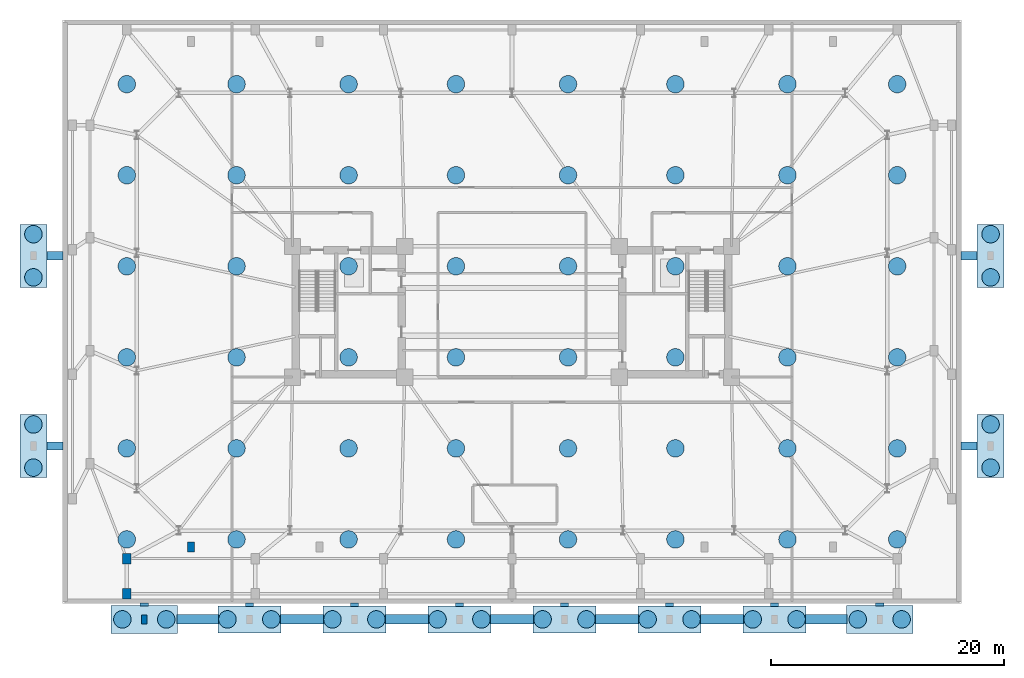
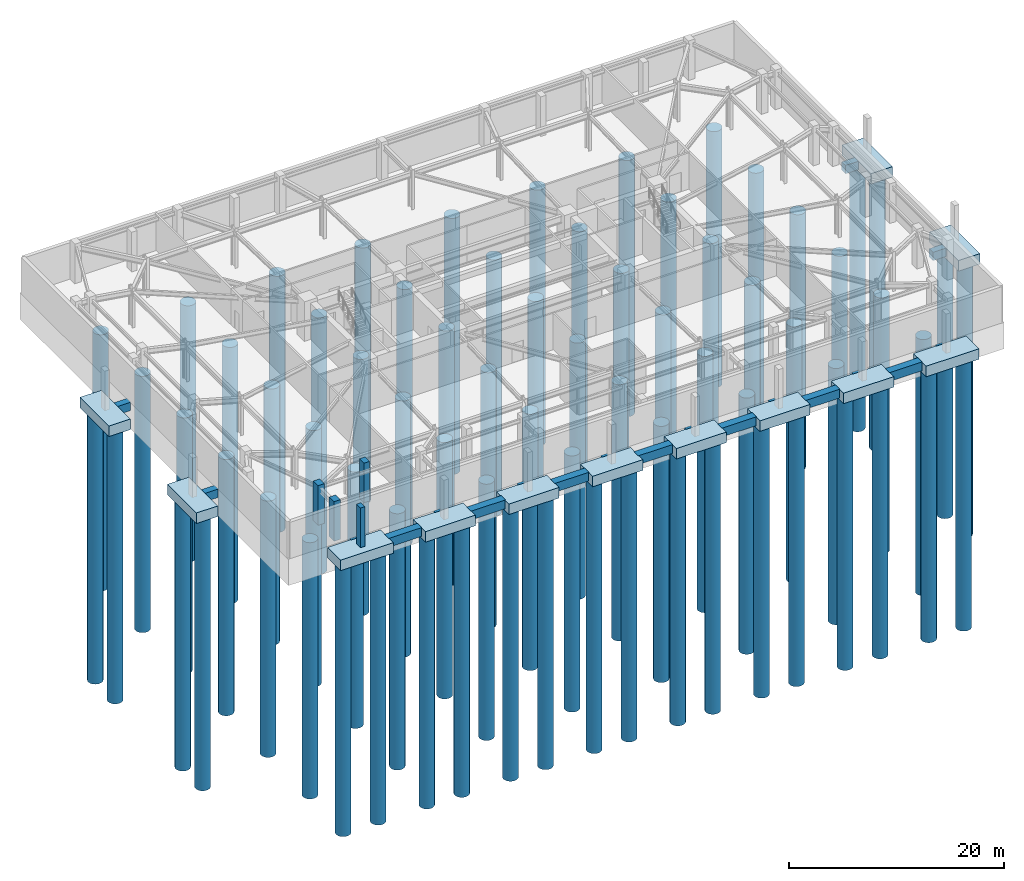
# One storey, part 1 of 15: 72 piles, 31 footings, 4 columns.
"""IFC4 building model written with IfcOpenShell, lengths in metres."""

from ifc_helpers import new_model, si_unit, direction, frame, origin, origin_2d, place, context, subcontext, project, spatial, polyline, rectangle, circle, outline, extrude, material, material_profile, profile_set, type_object, element, save


model = new_model("IFC4")

# Units and contexts
model_context = context("Model", 3, precision=1e-05, world=origin(), true_north=direction((0.0, 1.0)))
body_context = subcontext(model_context, "Body", "Model", "MODEL_VIEW")
ifc_project = project(units=[si_unit("LENGTHUNIT", "METRE"), si_unit("AREAUNIT", "SQUARE_METRE"), si_unit("VOLUMEUNIT", "CUBIC_METRE"), si_unit("PLANEANGLEUNIT", "RADIAN"), si_unit("MASSUNIT", "GRAM", prefix="KILO")], contexts=[model_context])

# Site, building, storey
site_placement = place(None, origin())
site = spatial("IfcSite", under=ifc_project, at=site_placement, CompositionType="ELEMENT")
building_placement = place(site_placement, origin())
building = spatial("IfcBuilding", under=site, at=building_placement, Name="Qobustan Lattice House", CompositionType="ELEMENT")
storey_placement = place(building_placement, frame((0.0, 0.0, -9.0)))
storey = spatial("IfcBuildingStorey", under=building, at=storey_placement, Name="B02", CompositionType="ELEMENT", Elevation=-9.0)

# Footings
ifc_material_1 = material(Name="Concrete C50/60", Category="concrete")
footing_type_1 = type_object("IfcFootingType", Name="FTG-GB-700x950", PredefinedType="FOOTING_BEAM", material=ifc_material_1)
footing_1_placement = place(storey_placement, frame((0.0, 0.0, -0.949951171875)))
element("IfcFooting", 1, at=footing_1_placement, inside=storey, type_object=footing_type_1, Name="Transverse foundation tie beam GBT-01", PredefinedType="FOOTING_BEAM", context=body_context, shape_type="SweptSolid", body=[
    extrude(outline(polyline([(-31.85009765625, -25.199951171875), (-31.14990234375, -25.199951171875), (-31.14990234375, -24.949951171875), (-31.85009765625, -24.949951171875), (-31.85009765625, -25.199951171875)])), origin(), (0.0, 0.0, 1.0), 0.949951171875),
])
footing_2_placement = place(storey_placement, frame((0.0, 0.0, -0.949951171875)))
element("IfcFooting", 2, at=footing_2_placement, inside=storey, type_object=footing_type_1, Name="Transverse foundation tie beam GBT-02", PredefinedType="FOOTING_BEAM", context=body_context, shape_type="SweptSolid", body=[
    extrude(outline(polyline([(-22.85009765625, -25.25), (-22.14990234375, -25.25), (-22.14990234375, -24.949951171875), (-22.85009765625, -24.949951171875), (-22.85009765625, -25.25)])), origin(), (0.0, 0.0, 1.0), 0.949951171875),
])
footing_3_placement = place(storey_placement, frame((0.0, 0.0, -0.949951171875)))
element("IfcFooting", 3, at=footing_3_placement, inside=storey, type_object=footing_type_1, Name="Transverse foundation tie beam GBT-03", PredefinedType="FOOTING_BEAM", context=body_context, shape_type="SweptSolid", body=[
    extrude(outline(polyline([(-13.85009765625, -25.25), (-13.14990234375, -25.25), (-13.14990234375, -24.949951171875), (-13.85009765625, -24.949951171875), (-13.85009765625, -25.25)])), origin(), (0.0, 0.0, 1.0), 0.949951171875),
])
footing_4_placement = place(storey_placement, frame((0.0, 0.0, -0.949951171875)))
element("IfcFooting", 4, at=footing_4_placement, inside=storey, type_object=footing_type_1, Name="Transverse foundation tie beam GBT-04", PredefinedType="FOOTING_BEAM", context=body_context, shape_type="SweptSolid", body=[
    extrude(outline(polyline([(-4.85009765625, -25.25), (-4.14990234375, -25.25), (-4.14990234375, -24.949951171875), (-4.85009765625, -24.949951171875), (-4.85009765625, -25.25)])), origin(), (0.0, 0.0, 1.0), 0.949951171875),
])
footing_5_placement = place(storey_placement, frame((0.0, 0.0, -0.949951171875)))
element("IfcFooting", 5, at=footing_5_placement, inside=storey, type_object=footing_type_1, Name="Transverse foundation tie beam GBT-05", PredefinedType="FOOTING_BEAM", context=body_context, shape_type="SweptSolid", body=[
    extrude(outline(polyline([(4.14990234375, -25.25), (4.85009765625, -25.25), (4.85009765625, -24.949951171875), (4.14990234375, -24.949951171875), (4.14990234375, -25.25)])), origin(), (0.0, 0.0, 1.0), 0.949951171875),
])
footing_6_placement = place(storey_placement, frame((0.0, 0.0, -0.949951171875)))
element("IfcFooting", 6, at=footing_6_placement, inside=storey, type_object=footing_type_1, Name="Transverse foundation tie beam GBT-06", PredefinedType="FOOTING_BEAM", context=body_context, shape_type="SweptSolid", body=[
    extrude(outline(polyline([(13.14990234375, -25.25), (13.85009765625, -25.25), (13.85009765625, -24.949951171875), (13.14990234375, -24.949951171875), (13.14990234375, -25.25)])), origin(), (0.0, 0.0, 1.0), 0.949951171875),
])
footing_7_placement = place(storey_placement, frame((0.0, 0.0, -0.949951171875)))
element("IfcFooting", 7, at=footing_7_placement, inside=storey, type_object=footing_type_1, Name="Transverse foundation tie beam GBT-07", PredefinedType="FOOTING_BEAM", context=body_context, shape_type="SweptSolid", body=[
    extrude(outline(polyline([(22.14990234375, -25.25), (22.85009765625, -25.25), (22.85009765625, -24.949951171875), (22.14990234375, -24.949951171875), (22.14990234375, -25.25)])), origin(), (0.0, 0.0, 1.0), 0.949951171875),
])
footing_8_placement = place(storey_placement, frame((0.0, 0.0, -0.949951171875)))
element("IfcFooting", 8, at=footing_8_placement, inside=storey, type_object=footing_type_1, Name="Transverse foundation tie beam GBT-08", PredefinedType="FOOTING_BEAM", context=body_context, shape_type="SweptSolid", body=[
    extrude(outline(polyline([(31.14990234375, -25.199951171875), (31.85009765625, -25.199951171875), (31.85009765625, -24.949951171875), (31.14990234375, -24.949951171875), (31.14990234375, -25.199951171875)])), origin(), (0.0, 0.0, 1.0), 0.949951171875),
])
footing_9_placement = place(storey_placement, frame((0.0, 0.0, -0.949951171875)))
element("IfcFooting", 9, at=footing_9_placement, inside=storey, type_object=footing_type_1, Name="Arrival portico foundation tie beam GBT-EW-W1", PredefinedType="FOOTING_BEAM", context=body_context, shape_type="SweptSolid", body=[
    extrude(outline(polyline([(-39.85009765625, -11.85009765625), (-38.449951171875, -11.85009765625), (-38.449951171875, -11.14990234375), (-39.85009765625, -11.14990234375), (-39.85009765625, -11.85009765625)])), origin(), (0.0, 0.0, 1.0), 0.949951171875),
])
footing_10_placement = place(storey_placement, frame((0.0, 0.0, -0.949951171875)))
element("IfcFooting", 10, at=footing_10_placement, inside=storey, type_object=footing_type_1, Name="Arrival portico foundation tie beam GBT-EW-W2", PredefinedType="FOOTING_BEAM", context=body_context, shape_type="SweptSolid", body=[
    extrude(outline(polyline([(-39.85009765625, 4.449951171875), (-38.449951171875, 4.449951171875), (-38.449951171875, 5.14990234375), (-39.85009765625, 5.14990234375), (-39.85009765625, 4.449951171875)])), origin(), (0.0, 0.0, 1.0), 0.949951171875),
])
footing_11_placement = place(storey_placement, frame((0.0, 0.0, -0.949951171875)))
element("IfcFooting", 11, at=footing_11_placement, inside=storey, type_object=footing_type_1, Name="Arrival portico foundation tie beam GBT-EW-E1", PredefinedType="FOOTING_BEAM", context=body_context, shape_type="SweptSolid", body=[
    extrude(outline(polyline([(38.449951171875, -11.85009765625), (39.85009765625, -11.85009765625), (39.85009765625, -11.14990234375), (38.449951171875, -11.14990234375), (38.449951171875, -11.85009765625)])), origin(), (0.0, 0.0, 1.0), 0.949951171875),
])
footing_12_placement = place(storey_placement, frame((0.0, 0.0, -0.949951171875)))
element("IfcFooting", 12, at=footing_12_placement, inside=storey, type_object=footing_type_1, Name="Arrival portico foundation tie beam GBT-EW-E2", PredefinedType="FOOTING_BEAM", context=body_context, shape_type="SweptSolid", body=[
    extrude(outline(polyline([(38.449951171875, 4.449951171875), (39.85009765625, 4.449951171875), (39.85009765625, 5.14990234375), (38.449951171875, 5.14990234375), (38.449951171875, 4.449951171875)])), origin(), (0.0, 0.0, 1.0), 0.949951171875),
])
ifc_material_2 = material(Name="Concrete C50/60", Category="concrete")
footing_type_2 = type_object("IfcFootingType", Name="FTG-GB-800x1000", PredefinedType="FOOTING_BEAM", material=ifc_material_2)
footing_13_placement = place(storey_placement, frame((0.0, 0.0, -1.0)))
element("IfcFooting", 13, at=footing_13_placement, inside=storey, type_object=footing_type_2, Name="Longitudinal foundation tie beam GBL-01", PredefinedType="FOOTING_BEAM", context=body_context, shape_type="SweptSolid", body=[
    extrude(outline(polyline([(-28.699951171875, -26.75), (-25.14990234375, -26.75), (-25.14990234375, -25.949951171875), (-28.699951171875, -25.949951171875), (-28.699951171875, -26.75)])), origin(), (0.0, 0.0, 1.0), 1.0),
])
footing_14_placement = place(storey_placement, frame((0.0, 0.0, -1.0)))
element("IfcFooting", 14, at=footing_14_placement, inside=storey, type_object=footing_type_2, Name="Longitudinal foundation tie beam GBL-02", PredefinedType="FOOTING_BEAM", context=body_context, shape_type="SweptSolid", body=[
    extrude(outline(polyline([(-19.85009765625, -26.75), (-16.14990234375, -26.75), (-16.14990234375, -25.949951171875), (-19.85009765625, -25.949951171875), (-19.85009765625, -26.75)])), origin(), (0.0, 0.0, 1.0), 1.0),
])
footing_15_placement = place(storey_placement, frame((0.0, 0.0, -1.0)))
element("IfcFooting", 15, at=footing_15_placement, inside=storey, type_object=footing_type_2, Name="Longitudinal foundation tie beam GBL-03", PredefinedType="FOOTING_BEAM", context=body_context, shape_type="SweptSolid", body=[
    extrude(outline(polyline([(-10.85009765625, -26.75), (-7.14990234375, -26.75), (-7.14990234375, -25.949951171875), (-10.85009765625, -25.949951171875), (-10.85009765625, -26.75)])), origin(), (0.0, 0.0, 1.0), 1.0),
])
footing_16_placement = place(storey_placement, frame((0.0, 0.0, -1.0)))
element("IfcFooting", 16, at=footing_16_placement, inside=storey, type_object=footing_type_2, Name="Longitudinal foundation tie beam GBL-04", PredefinedType="FOOTING_BEAM", context=body_context, shape_type="SweptSolid", body=[
    extrude(outline(polyline([(-1.85009765625, -26.75), (1.85009765625, -26.75), (1.85009765625, -25.949951171875), (-1.85009765625, -25.949951171875), (-1.85009765625, -26.75)])), origin(), (0.0, 0.0, 1.0), 1.0),
])
footing_17_placement = place(storey_placement, frame((0.0, 0.0, -1.0)))
element("IfcFooting", 17, at=footing_17_placement, inside=storey, type_object=footing_type_2, Name="Longitudinal foundation tie beam GBL-05", PredefinedType="FOOTING_BEAM", context=body_context, shape_type="SweptSolid", body=[
    extrude(outline(polyline([(7.14990234375, -26.75), (10.85009765625, -26.75), (10.85009765625, -25.949951171875), (7.14990234375, -25.949951171875), (7.14990234375, -26.75)])), origin(), (0.0, 0.0, 1.0), 1.0),
])
footing_18_placement = place(storey_placement, frame((0.0, 0.0, -1.0)))
element("IfcFooting", 18, at=footing_18_placement, inside=storey, type_object=footing_type_2, Name="Longitudinal foundation tie beam GBL-06", PredefinedType="FOOTING_BEAM", context=body_context, shape_type="SweptSolid", body=[
    extrude(outline(polyline([(16.14990234375, -26.75), (19.85009765625, -26.75), (19.85009765625, -25.949951171875), (16.14990234375, -25.949951171875), (16.14990234375, -26.75)])), origin(), (0.0, 0.0, 1.0), 1.0),
])
footing_19_placement = place(storey_placement, frame((0.0, 0.0, -1.0)))
element("IfcFooting", 19, at=footing_19_placement, inside=storey, type_object=footing_type_2, Name="Longitudinal foundation tie beam GBL-07", PredefinedType="FOOTING_BEAM", context=body_context, shape_type="SweptSolid", body=[
    extrude(outline(polyline([(25.14990234375, -26.75), (28.699951171875, -26.75), (28.699951171875, -25.949951171875), (25.14990234375, -25.949951171875), (25.14990234375, -26.75)])), origin(), (0.0, 0.0, 1.0), 1.0),
])
ifc_material_3 = material(Name="Concrete C50/60", Category="concrete")
footing_type_3 = type_object("IfcFootingType", Name="FTG-PC-5400x2300", PredefinedType="PILE_CAP", material=ifc_material_3)
for number, where, z_axis, x_axis, name in (
    (20, (-22.5, -26.35009765625, -1.2001953125), (0.0, 0.0, 1.0), (1.0, 0.0, 0.0), "Entrance canopy pile cap PC-02"),
    (21, (-13.5, -26.35009765625, -1.2001953125), (0.0, 0.0, 1.0), (1.0, 0.0, 0.0), "Entrance canopy pile cap PC-03"),
    (22, (-4.5, -26.35009765625, -1.2001953125), (0.0, 0.0, 1.0), (1.0, 0.0, 0.0), "Entrance canopy pile cap PC-04"),
    (23, (4.5, -26.35009765625, -1.2001953125), (0.0, 0.0, 1.0), (1.0, 0.0, 0.0), "Entrance canopy pile cap PC-05"),
    (24, (13.5, -26.35009765625, -1.2001953125), (0.0, 0.0, 1.0), (1.0, 0.0, 0.0), "Entrance canopy pile cap PC-06"),
    (25, (22.5, -26.35009765625, -1.2001953125), (0.0, 0.0, 1.0), (1.0, 0.0, 0.0), "Entrance canopy pile cap PC-07"),
):
    element("IfcFooting", number, at=place(storey_placement, frame(where, z_axis=z_axis, x_axis=x_axis)), inside=storey, type_object=footing_type_3, Name=name, PredefinedType="PILE_CAP", context=body_context, shape_type="SweptSolid", body=[
        extrude(rectangle(XDim=5.39990234375, YDim=2.300048828125, at=origin_2d()), origin(), (0.0, 0.0, 1.0), 1.199951171875),
    ])
for number, where, z_axis, x_axis, name in (
    (26, (-41.0, -11.5, -1.2001953125), (0.0, 0.0, 1.0), (1.0, 0.0, 0.0), "Arrival portico pile cap PC-EW-W1"),
    (27, (-41.0, 4.800048828125, -1.2001953125), (0.0, 0.0, 1.0), (1.0, 0.0, 0.0), "Arrival portico pile cap PC-EW-W2"),
    (28, (41.0, -11.5, -1.2001953125), (0.0, 0.0, 1.0), (1.0, 0.0, 0.0), "Arrival portico pile cap PC-EW-E1"),
    (29, (41.0, 4.800048828125, -1.2001953125), (0.0, 0.0, 1.0), (1.0, 0.0, 0.0), "Arrival portico pile cap PC-EW-E2"),
):
    element("IfcFooting", number, at=place(storey_placement, frame(where, z_axis=z_axis, x_axis=x_axis)), inside=storey, type_object=footing_type_3, Name=name, PredefinedType="PILE_CAP", context=body_context, shape_type="SweptSolid", body=[
        extrude(rectangle(XDim=2.300048828125, YDim=5.39990234375, at=origin_2d()), origin(), (0.0, 0.0, 1.0), 1.199951171875),
    ])
ifc_material_4 = material(Name="Concrete C50/60", Category="concrete")
footing_type_4 = type_object("IfcFootingType", Name="FTG-PC-5700x2400", PredefinedType="PILE_CAP", material=ifc_material_4)
for number, where, z_axis, x_axis, name in (
    (30, (-31.5, -26.35009765625, -1.2001953125), (0.0, 0.0, 1.0), (1.0, 0.0, 0.0), "Entrance canopy pile cap PC-01"),
    (31, (31.5, -26.35009765625, -1.2001953125), (0.0, 0.0, 1.0), (1.0, 0.0, 0.0), "Entrance canopy pile cap PC-08"),
):
    element("IfcFooting", number, at=place(storey_placement, frame(where, z_axis=z_axis, x_axis=x_axis)), inside=storey, type_object=footing_type_4, Name=name, PredefinedType="PILE_CAP", context=body_context, shape_type="SweptSolid", body=[
        extrude(rectangle(XDim=5.699951171875, YDim=2.39990234375, at=origin_2d()), origin(), (0.0, 0.0, 1.0), 1.199951171875),
    ])

# Piles
ifc_material_5 = material(Name="Concrete C45/55", Category="concrete")
ifc_material_profile_1 = material_profile(ifc_material_5, circle(Radius=0.75, at=origin_2d()), Name="PILE-D1500")
ifc_profile_set_1 = profile_set([ifc_material_profile_1], Name="Concrete C45/55")
pile_type = type_object("IfcPileType", Name="PIL-BORED-1500", PredefinedType="BORED", material=ifc_profile_set_1)
for number, where, z_axis, x_axis, name in (
    (32, (-33.0, -19.5, -2.85009765625), (0.0, 0.0, -1.0), (1.0, 0.0, 0.0), "Raft bored pile BP-01"),
    (33, (-33.0, -11.699951171875, -2.85009765625), (0.0, 0.0, -1.0), (1.0, 0.0, 0.0), "Raft bored pile BP-02"),
    (34, (-33.0, -3.89990234375, -2.85009765625), (0.0, 0.0, -1.0), (1.0, 0.0, 0.0), "Raft bored pile BP-03"),
    (35, (-33.0, 3.89990234375, -2.85009765625), (0.0, 0.0, -1.0), (1.0, 0.0, 0.0), "Raft bored pile BP-04"),
    (36, (-33.0, 11.699951171875, -2.85009765625), (0.0, 0.0, -1.0), (1.0, 0.0, 0.0), "Raft bored pile BP-05"),
    (37, (-33.0, 19.5, -2.85009765625), (0.0, 0.0, -1.0), (1.0, 0.0, 0.0), "Raft bored pile BP-06"),
    (38, (-23.60009765625, -19.5, -2.85009765625), (0.0, 0.0, -1.0), (1.0, 0.0, 0.0), "Raft bored pile BP-07"),
    (39, (-23.60009765625, -11.699951171875, -2.85009765625), (0.0, 0.0, -1.0), (1.0, 0.0, 0.0), "Raft bored pile BP-08"),
    (40, (-23.60009765625, -3.89990234375, -2.85009765625), (0.0, 0.0, -1.0), (1.0, 0.0, 0.0), "Raft bored pile BP-09"),
    (41, (-23.60009765625, 3.89990234375, -2.85009765625), (0.0, 0.0, -1.0), (1.0, 0.0, 0.0), "Raft bored pile BP-10"),
    (42, (-23.60009765625, 11.699951171875, -2.85009765625), (0.0, 0.0, -1.0), (1.0, 0.0, 0.0), "Raft bored pile BP-11"),
    (43, (-23.60009765625, 19.5, -2.85009765625), (0.0, 0.0, -1.0), (1.0, 0.0, 0.0), "Raft bored pile BP-12"),
    (44, (-14.0, -19.5, -2.85009765625), (0.0, 0.0, -1.0), (1.0, 0.0, 0.0), "Raft bored pile BP-13"),
    (45, (-14.0, -11.699951171875, -2.85009765625), (0.0, 0.0, -1.0), (1.0, 0.0, 0.0), "Raft bored pile BP-14"),
    (46, (-14.0, -3.89990234375, -2.85009765625), (0.0, 0.0, -1.0), (1.0, 0.0, 0.0), "Raft bored pile BP-15"),
    (47, (-14.0, 3.89990234375, -2.85009765625), (0.0, 0.0, -1.0), (1.0, 0.0, 0.0), "Raft bored pile BP-16"),
    (48, (-14.0, 11.699951171875, -2.85009765625), (0.0, 0.0, -1.0), (1.0, 0.0, 0.0), "Raft bored pile BP-17"),
    (49, (-14.0, 19.5, -2.85009765625), (0.0, 0.0, -1.0), (1.0, 0.0, 0.0), "Raft bored pile BP-18"),
    (50, (-4.800048828125, -19.5, -2.85009765625), (0.0, 0.0, -1.0), (1.0, 0.0, 0.0), "Raft bored pile BP-19"),
    (51, (-4.800048828125, -11.699951171875, -2.85009765625), (0.0, 0.0, -1.0), (1.0, 0.0, 0.0), "Raft bored pile BP-20"),
    (52, (-4.800048828125, -3.89990234375, -2.85009765625), (0.0, 0.0, -1.0), (1.0, 0.0, 0.0), "Raft bored pile BP-21"),
    (53, (-4.800048828125, 3.89990234375, -2.85009765625), (0.0, 0.0, -1.0), (1.0, 0.0, 0.0), "Raft bored pile BP-22"),
    (54, (-4.800048828125, 11.699951171875, -2.85009765625), (0.0, 0.0, -1.0), (1.0, 0.0, 0.0), "Raft bored pile BP-23"),
    (55, (-4.800048828125, 19.5, -2.85009765625), (0.0, 0.0, -1.0), (1.0, 0.0, 0.0), "Raft bored pile BP-24"),
    (56, (4.800048828125, -19.5, -2.85009765625), (0.0, 0.0, -1.0), (1.0, 0.0, 0.0), "Raft bored pile BP-25"),
    (57, (4.800048828125, -11.699951171875, -2.85009765625), (0.0, 0.0, -1.0), (1.0, 0.0, 0.0), "Raft bored pile BP-26"),
    (58, (4.800048828125, -3.89990234375, -2.85009765625), (0.0, 0.0, -1.0), (1.0, 0.0, 0.0), "Raft bored pile BP-27"),
    (59, (4.800048828125, 3.89990234375, -2.85009765625), (0.0, 0.0, -1.0), (1.0, 0.0, 0.0), "Raft bored pile BP-28"),
    (60, (4.800048828125, 11.699951171875, -2.85009765625), (0.0, 0.0, -1.0), (1.0, 0.0, 0.0), "Raft bored pile BP-29"),
    (61, (4.800048828125, 19.5, -2.85009765625), (0.0, 0.0, -1.0), (1.0, 0.0, 0.0), "Raft bored pile BP-30"),
    (62, (14.0, -19.5, -2.85009765625), (0.0, 0.0, -1.0), (1.0, 0.0, 0.0), "Raft bored pile BP-31"),
    (63, (14.0, -11.699951171875, -2.85009765625), (0.0, 0.0, -1.0), (1.0, 0.0, 0.0), "Raft bored pile BP-32"),
    (64, (14.0, -3.89990234375, -2.85009765625), (0.0, 0.0, -1.0), (1.0, 0.0, 0.0), "Raft bored pile BP-33"),
    (65, (14.0, 3.89990234375, -2.85009765625), (0.0, 0.0, -1.0), (1.0, 0.0, 0.0), "Raft bored pile BP-34"),
    (66, (14.0, 11.699951171875, -2.85009765625), (0.0, 0.0, -1.0), (1.0, 0.0, 0.0), "Raft bored pile BP-35"),
    (67, (14.0, 19.5, -2.85009765625), (0.0, 0.0, -1.0), (1.0, 0.0, 0.0), "Raft bored pile BP-36"),
    (68, (23.60009765625, -19.5, -2.85009765625), (0.0, 0.0, -1.0), (1.0, 0.0, 0.0), "Raft bored pile BP-37"),
    (69, (23.60009765625, -11.699951171875, -2.85009765625), (0.0, 0.0, -1.0), (1.0, 0.0, 0.0), "Raft bored pile BP-38"),
    (70, (23.60009765625, -3.89990234375, -2.85009765625), (0.0, 0.0, -1.0), (1.0, 0.0, 0.0), "Raft bored pile BP-39"),
    (71, (23.60009765625, 3.89990234375, -2.85009765625), (0.0, 0.0, -1.0), (1.0, 0.0, 0.0), "Raft bored pile BP-40"),
    (72, (23.60009765625, 11.699951171875, -2.85009765625), (0.0, 0.0, -1.0), (1.0, 0.0, 0.0), "Raft bored pile BP-41"),
    (73, (23.60009765625, 19.5, -2.85009765625), (0.0, 0.0, -1.0), (1.0, 0.0, 0.0), "Raft bored pile BP-42"),
    (74, (33.0, -19.5, -2.85009765625), (0.0, 0.0, -1.0), (1.0, 0.0, 0.0), "Raft bored pile BP-43"),
    (75, (33.0, -11.699951171875, -2.85009765625), (0.0, 0.0, -1.0), (1.0, 0.0, 0.0), "Raft bored pile BP-44"),
    (76, (33.0, -3.89990234375, -2.85009765625), (0.0, 0.0, -1.0), (1.0, 0.0, 0.0), "Raft bored pile BP-45"),
    (77, (33.0, 3.89990234375, -2.85009765625), (0.0, 0.0, -1.0), (1.0, 0.0, 0.0), "Raft bored pile BP-46"),
    (78, (33.0, 11.699951171875, -2.85009765625), (0.0, 0.0, -1.0), (1.0, 0.0, 0.0), "Raft bored pile BP-47"),
    (79, (33.0, 19.5, -2.85009765625), (0.0, 0.0, -1.0), (1.0, 0.0, 0.0), "Raft bored pile BP-48"),
):
    element("IfcPile", number, at=place(storey_placement, frame(where, z_axis=z_axis, x_axis=x_axis)), inside=storey, type_object=pile_type, Name=name, PredefinedType="BORED", context=body_context, shape_type="SweptSolid", body=[
        extrude(circle(Radius=0.75, at=origin_2d()), origin(), (0.0, 0.0, 1.0), 29.14990234375),
    ])
for number, where, z_axis, x_axis, name in (
    (80, (-33.3798828125, -26.35009765625, -1.050048828125), (0.0, 0.0, -1.0), (1.0, 0.0, 0.0), "Canopy cap bored pile BP-49"),
    (81, (-29.6201171875, -26.35009765625, -1.050048828125), (0.0, 0.0, -1.0), (1.0, 0.0, 0.0), "Canopy cap bored pile BP-50"),
    (82, (-24.3798828125, -26.35009765625, -1.050048828125), (0.0, 0.0, -1.0), (1.0, 0.0, 0.0), "Canopy cap bored pile BP-51"),
    (83, (-20.6201171875, -26.35009765625, -1.050048828125), (0.0, 0.0, -1.0), (1.0, 0.0, 0.0), "Canopy cap bored pile BP-52"),
    (84, (-15.3798828125, -26.35009765625, -1.050048828125), (0.0, 0.0, -1.0), (1.0, 0.0, 0.0), "Canopy cap bored pile BP-53"),
    (85, (-11.6201171875, -26.35009765625, -1.050048828125), (0.0, 0.0, -1.0), (1.0, 0.0, 0.0), "Canopy cap bored pile BP-54"),
    (86, (-6.3798828125, -26.35009765625, -1.050048828125), (0.0, 0.0, -1.0), (1.0, 0.0, 0.0), "Canopy cap bored pile BP-55"),
    (87, (-2.6201171875, -26.35009765625, -1.050048828125), (0.0, 0.0, -1.0), (1.0, 0.0, 0.0), "Canopy cap bored pile BP-56"),
    (88, (2.6201171875, -26.35009765625, -1.050048828125), (0.0, 0.0, -1.0), (1.0, 0.0, 0.0), "Canopy cap bored pile BP-57"),
    (89, (6.3798828125, -26.35009765625, -1.050048828125), (0.0, 0.0, -1.0), (1.0, 0.0, 0.0), "Canopy cap bored pile BP-58"),
    (90, (11.6201171875, -26.35009765625, -1.050048828125), (0.0, 0.0, -1.0), (1.0, 0.0, 0.0), "Canopy cap bored pile BP-59"),
    (91, (15.3798828125, -26.35009765625, -1.050048828125), (0.0, 0.0, -1.0), (1.0, 0.0, 0.0), "Canopy cap bored pile BP-60"),
    (92, (20.6201171875, -26.35009765625, -1.050048828125), (0.0, 0.0, -1.0), (1.0, 0.0, 0.0), "Canopy cap bored pile BP-61"),
    (93, (24.3798828125, -26.35009765625, -1.050048828125), (0.0, 0.0, -1.0), (1.0, 0.0, 0.0), "Canopy cap bored pile BP-62"),
    (94, (29.6201171875, -26.35009765625, -1.050048828125), (0.0, 0.0, -1.0), (1.0, 0.0, 0.0), "Canopy cap bored pile BP-63"),
    (95, (33.3798828125, -26.35009765625, -1.050048828125), (0.0, 0.0, -1.0), (1.0, 0.0, 0.0), "Canopy cap bored pile BP-64"),
    (96, (-41.0, -13.35009765625, -1.050048828125), (0.0, 0.0, -1.0), (1.0, 0.0, 0.0), "Arrival portico bored pile BP-EW-W1-1"),
    (97, (-41.0, -9.64990234375, -1.050048828125), (0.0, 0.0, -1.0), (1.0, 0.0, 0.0), "Arrival portico bored pile BP-EW-W1-2"),
    (98, (-41.0, 2.949951171875, -1.050048828125), (0.0, 0.0, -1.0), (1.0, 0.0, 0.0), "Arrival portico bored pile BP-EW-W2-1"),
    (99, (-41.0, 6.64990234375, -1.050048828125), (0.0, 0.0, -1.0), (1.0, 0.0, 0.0), "Arrival portico bored pile BP-EW-W2-2"),
    (100, (41.0, -13.35009765625, -1.050048828125), (0.0, 0.0, -1.0), (1.0, 0.0, 0.0), "Arrival portico bored pile BP-EW-E1-1"),
    (101, (41.0, -9.64990234375, -1.050048828125), (0.0, 0.0, -1.0), (1.0, 0.0, 0.0), "Arrival portico bored pile BP-EW-E1-2"),
    (102, (41.0, 2.949951171875, -1.050048828125), (0.0, 0.0, -1.0), (1.0, 0.0, 0.0), "Arrival portico bored pile BP-EW-E2-1"),
    (103, (41.0, 6.64990234375, -1.050048828125), (0.0, 0.0, -1.0), (1.0, 0.0, 0.0), "Arrival portico bored pile BP-EW-E2-2"),
):
    element("IfcPile", number, at=place(storey_placement, frame(where, z_axis=z_axis, x_axis=x_axis)), inside=storey, type_object=pile_type, Name=name, PredefinedType="BORED", context=body_context, shape_type="SweptSolid", body=[
        extrude(circle(Radius=0.75, at=origin_2d()), origin(), (0.0, 0.0, 1.0), 30.949951171875),
    ])

# Columns
ifc_material_6 = material(Name="Concrete C50/60", Category="concrete")
ifc_material_profile_2 = material_profile(ifc_material_6, rectangle(XDim=0.5, YDim=0.75, at=origin_2d()), Name="RC500x750")
ifc_profile_set_2 = profile_set([ifc_material_profile_2], Name="Concrete C50/60")
column_type_1 = type_object("IfcColumnType", Name="COL-PIER-500x750", PredefinedType="USERDEFINED", material=ifc_profile_set_2)
column_1_placement = place(storey_placement, frame((-31.5, -26.35009765625, 0.0), z_axis=(0.0, 0.0, 1.0), x_axis=(1.0, 0.0, 0.0)))
element("IfcColumn", 104, at=column_1_placement, inside=storey, type_object=column_type_1, Name="B02 entrance canopy pier PR-01", ObjectType="PIER", PredefinedType="USERDEFINED", context=body_context, shape_type="SweptSolid", body=[
    extrude(rectangle(XDim=0.5, YDim=0.75, at=origin_2d()), origin(), (0.0, 0.0, 1.0), 4.5),
])
ifc_material_7 = material(Name="Concrete C50/60", Category="concrete")
ifc_material_profile_3 = material_profile(ifc_material_7, rectangle(XDim=0.60009765625, YDim=0.85009765625, at=origin_2d()), Name="RC600x850")
ifc_profile_set_3 = profile_set([ifc_material_profile_3], Name="Concrete C50/60")
column_type_2 = type_object("IfcColumnType", Name="COL-PIL-600x850", PredefinedType="PILASTER", material=ifc_profile_set_3)
column_2_placement = place(storey_placement, frame((-27.5, -20.14990234375, 0.0), z_axis=(0.0, 0.0, 1.0), x_axis=(1.0, 0.0, 0.0)))
element("IfcColumn", 105, at=column_2_placement, inside=storey, type_object=column_type_2, Name="B02 colonnade pilaster S1", PredefinedType="PILASTER", context=body_context, shape_type="SweptSolid", body=[
    extrude(rectangle(XDim=0.60009765625, YDim=0.85009765625, at=origin_2d()), origin(), (0.0, 0.0, 1.0), 4.5),
])
ifc_material_8 = material(Name="Concrete C50/60", Category="concrete")
ifc_material_profile_4 = material_profile(ifc_material_8, rectangle(XDim=0.699951171875, YDim=0.89990234375, at=origin_2d()), Name="RC700x900")
ifc_profile_set_4 = profile_set([ifc_material_profile_4], Name="Concrete C50/60")
column_type_3 = type_object("IfcColumnType", Name="COL-RC-700x900", PredefinedType="COLUMN", material=ifc_profile_set_4)
for number, where, z_axis, x_axis, name in (
    (106, (-33.0, -21.14990234375, 0.0), (0.0, 0.0, 1.0), (1.0, 0.0, 0.0), "B02 podium column PS1"),
    (107, (-33.0, -24.14990234375, 0.0), (0.0, 0.0, 1.0), (1.0, 0.0, 0.0), "B02 lower podium perimeter column PSL1"),
):
    element("IfcColumn", number, at=place(storey_placement, frame(where, z_axis=z_axis, x_axis=x_axis)), inside=storey, type_object=column_type_3, Name=name, PredefinedType="COLUMN", context=body_context, shape_type="SweptSolid", body=[
        extrude(rectangle(XDim=0.699951171875, YDim=0.89990234375, at=origin_2d()), origin(), (0.0, 0.0, 1.0), 4.5),
    ])

save(model, "model.ifc")
